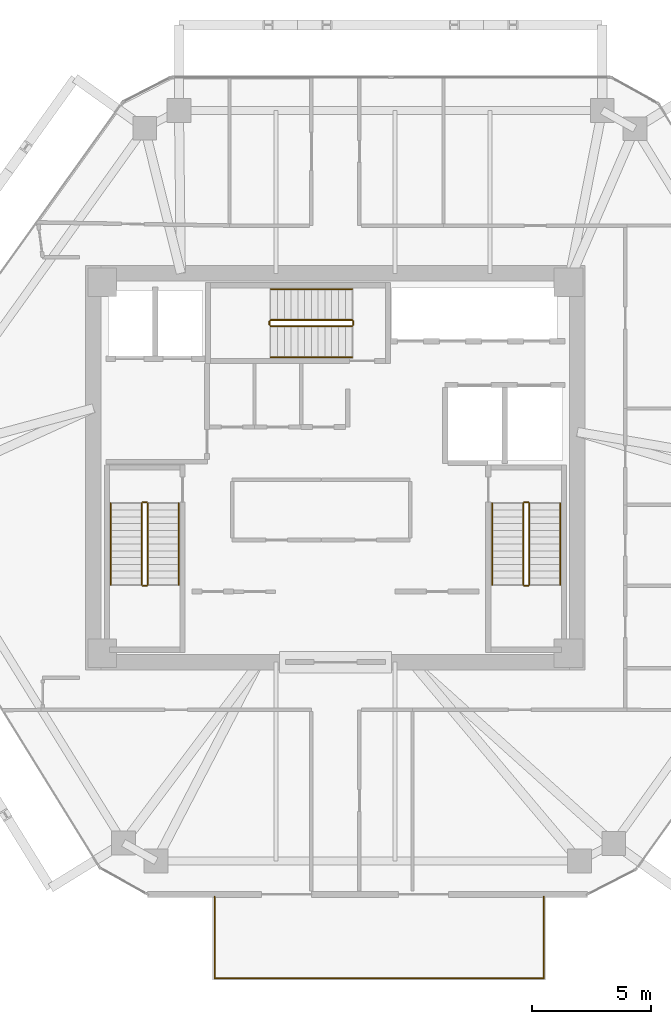
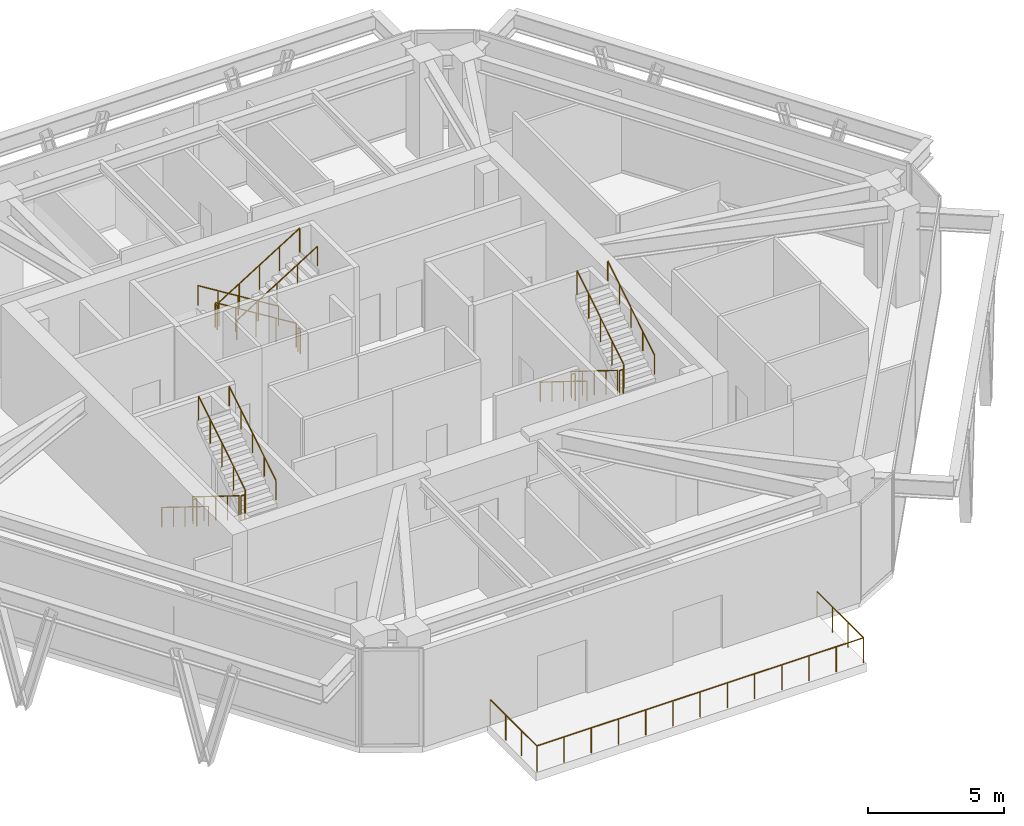
# One storey, part 11 of 12: 21 railings.
"""IFC4 building model written with IfcOpenShell, lengths in metres."""

from ifc_helpers import new_model, si_unit, direction, frame, origin, origin_2d, place, context, subcontext, project, spatial, circle, extrude, material, type_object, element, save


model = new_model("IFC4")

# Units and contexts
model_context = context("Model", 3, precision=1e-05, world=origin(), true_north=direction((0.0, 1.0)))
body_context = subcontext(model_context, "Body", "Model", "MODEL_VIEW")
ifc_project = project(units=[si_unit("LENGTHUNIT", "METRE"), si_unit("AREAUNIT", "SQUARE_METRE"), si_unit("VOLUMEUNIT", "CUBIC_METRE"), si_unit("PLANEANGLEUNIT", "RADIAN"), si_unit("MASSUNIT", "GRAM", prefix="KILO")], contexts=[model_context])

# Site, building, storey
site_placement = place(None, origin())
site = spatial("IfcSite", under=ifc_project, at=site_placement, CompositionType="ELEMENT")
building_placement = place(site_placement, origin())
building = spatial("IfcBuilding", under=site, at=building_placement, Name="Durnholm Broadcast Tower", CompositionType="ELEMENT")
storey_placement = place(building_placement, frame((0.0, 0.0, 162.60009765625)))
storey = spatial("IfcBuildingStorey", under=building, at=storey_placement, Name="L44", CompositionType="ELEMENT", Elevation=162.60009765625)

# Railings
ifc_material_1 = material(Name="Laminated Structural Glass Pool Balustrade", Category="glass")
railing_type_1 = type_object("IfcRailingType", Name="RAIL-POOL-1150", PredefinedType="BALUSTRADE", material=ifc_material_1)
railing_1_placement = place(storey_placement, frame((-5.0810546875, -18.0419921875, 0.0)))
element("IfcRailing", 1, at=railing_1_placement, inside=storey, type_object=railing_type_1, Name="L44 cantilevered sky-pool perimeter balustrade W", PredefinedType="BALUSTRADE", context=body_context, shape_type="SweptSolid", body=[
    extrude(circle(Radius=0.02392578125, at=origin_2d()), frame((0.0, 0.0, 1.1259765625), z_axis=(0.0, -1.0, 0.0), x_axis=(1.0, 0.0, 0.0)), (0.0, 0.0, 1.0), 3.419921875),
    extrude(circle(Radius=0.02099609375, at=origin_2d()), origin(), (0.0, 0.0, 1.0), 1.101806640625),
    extrude(circle(Radius=0.02099609375, at=origin_2d()), frame((0.0, -1.139892578125, 0.0)), (0.0, 0.0, 1.0), 1.101806640625),
    extrude(circle(Radius=0.02099609375, at=origin_2d()), frame((0.0, -2.280029296875, 0.0)), (0.0, 0.0, 1.0), 1.101806640625),
    extrude(circle(Radius=0.02099609375, at=origin_2d()), frame((0.0, -3.419921875, 0.0)), (0.0, 0.0, 1.0), 1.101806640625),
])
railing_2_placement = place(storey_placement, frame((-5.0810546875, -21.4619140625, 0.0)))
element("IfcRailing", 2, at=railing_2_placement, inside=storey, type_object=railing_type_1, Name="L44 cantilevered sky-pool perimeter balustrade S", PredefinedType="BALUSTRADE", context=body_context, shape_type="SweptSolid", body=[
    extrude(circle(Radius=0.02392578125, at=origin_2d()), frame((0.0, 0.0, 1.1259765625), z_axis=(1.0, 0.0, 0.0), x_axis=(0.0, 1.0, 0.0)), (0.0, 0.0, 1.0), 13.840087890625),
    extrude(circle(Radius=0.02099609375, at=origin_2d()), origin(), (0.0, 0.0, 1.0), 1.101806640625),
    extrude(circle(Radius=0.02099609375, at=origin_2d()), frame((1.1533203125, 0.0, 0.0)), (0.0, 0.0, 1.0), 1.101806640625),
    extrude(circle(Radius=0.02099609375, at=origin_2d()), frame((2.306640625, 0.0, 0.0)), (0.0, 0.0, 1.0), 1.101806640625),
    extrude(circle(Radius=0.02099609375, at=origin_2d()), frame((3.4599609375, 0.0, 0.0)), (0.0, 0.0, 1.0), 1.101806640625),
    extrude(circle(Radius=0.02099609375, at=origin_2d()), frame((4.61328125, 0.0, 0.0)), (0.0, 0.0, 1.0), 1.101806640625),
    extrude(circle(Radius=0.02099609375, at=origin_2d()), frame((5.7666015625, 0.0, 0.0)), (0.0, 0.0, 1.0), 1.101806640625),
    extrude(circle(Radius=0.02099609375, at=origin_2d()), frame((6.919921875, 0.0, 0.0)), (0.0, 0.0, 1.0), 1.101806640625),
    extrude(circle(Radius=0.02099609375, at=origin_2d()), frame((8.073486328125, 0.0, 0.0)), (0.0, 0.0, 1.0), 1.101806640625),
    extrude(circle(Radius=0.02099609375, at=origin_2d()), frame((9.226806640625, 0.0, 0.0)), (0.0, 0.0, 1.0), 1.101806640625),
    extrude(circle(Radius=0.02099609375, at=origin_2d()), frame((10.380126953125, 0.0, 0.0)), (0.0, 0.0, 1.0), 1.101806640625),
    extrude(circle(Radius=0.02099609375, at=origin_2d()), frame((11.533447265625, 0.0, 0.0)), (0.0, 0.0, 1.0), 1.101806640625),
    extrude(circle(Radius=0.02099609375, at=origin_2d()), frame((12.686767578125, 0.0, 0.0)), (0.0, 0.0, 1.0), 1.101806640625),
    extrude(circle(Radius=0.02099609375, at=origin_2d()), frame((13.840087890625, 0.0, 0.0)), (0.0, 0.0, 1.0), 1.101806640625),
])
railing_3_placement = place(storey_placement, frame((8.759033203125, -21.4619140625, 0.0)))
element("IfcRailing", 3, at=railing_3_placement, inside=storey, type_object=railing_type_1, Name="L44 cantilevered sky-pool perimeter balustrade E", PredefinedType="BALUSTRADE", context=body_context, shape_type="SweptSolid", body=[
    extrude(circle(Radius=0.02392578125, at=origin_2d()), frame((0.0, 0.0, 1.1259765625), z_axis=(0.0, 1.0, 0.0), x_axis=(-1.0, 0.0, 0.0)), (0.0, 0.0, 1.0), 3.419921875),
    extrude(circle(Radius=0.02099609375, at=origin_2d()), origin(), (0.0, 0.0, 1.0), 1.101806640625),
    extrude(circle(Radius=0.02099609375, at=origin_2d()), frame((0.0, 1.139892578125, 0.0)), (0.0, 0.0, 1.0), 1.101806640625),
    extrude(circle(Radius=0.02099609375, at=origin_2d()), frame((0.0, 2.280029296875, 0.0)), (0.0, 0.0, 1.0), 1.101806640625),
    extrude(circle(Radius=0.02099609375, at=origin_2d()), frame((0.0, 3.419921875, 0.0)), (0.0, 0.0, 1.0), 1.101806640625),
])
ifc_material_2 = material(Name="Painted Tubular Steel Stair Guardrail", Category="steel")
railing_type_2 = type_object("IfcRailingType", Name="RAIL-ST-GRD", PredefinedType="GUARDRAIL", material=ifc_material_2)
railing_4_placement = place(storey_placement, frame((-8.14990234375, -1.5, 0.1767578125)))
element("IfcRailing", 4, at=railing_4_placement, inside=storey, type_object=railing_type_2, Name="L44 ST-1 stair guard 1", PredefinedType="GUARDRAIL", context=body_context, shape_type="SweptSolid", body=[
    extrude(circle(Radius=0.02392578125, at=origin_2d()), frame((0.0, 0.0, 1.076171875), z_axis=(0.0, -0.849602680019, 0.527423251388), x_axis=(1.0, 0.0, 0.0)), (0.0, 0.0, 1.0), 4.025390625),
    extrude(circle(Radius=0.02099609375, at=origin_2d()), origin(), (0.0, 0.0, 1.0), 1.052001953125),
    extrude(circle(Radius=0.02099609375, at=origin_2d()), frame((0.0, -0.85498046875, 0.53076171875)), (0.0, 0.0, 1.0), 1.052001953125),
    extrude(circle(Radius=0.02099609375, at=origin_2d()), frame((0.0, -1.7099609375, 1.0615234375)), (0.0, 0.0, 1.0), 1.052001953125),
    extrude(circle(Radius=0.02099609375, at=origin_2d()), frame((0.0, -2.56494140625, 1.59228515625)), (0.0, 0.0, 1.0), 1.052001953125),
    extrude(circle(Radius=0.02099609375, at=origin_2d()), frame((0.0, -3.419921875, 2.123046875)), (0.0, 0.0, 1.0), 1.052001953125),
])
railing_5_placement = place(storey_placement, frame((-8.10009765625, -4.969970703125, 2.2998046875)))
element("IfcRailing", 5, at=railing_5_placement, inside=storey, type_object=railing_type_2, Name="L44 ST-1 stair guard 2", PredefinedType="GUARDRAIL", context=body_context, shape_type="SweptSolid", body=[
    extrude(circle(Radius=0.02392578125, at=origin_2d()), frame((0.0, 0.0, 1.076171875), z_axis=(1.0, 0.0, 0.0), x_axis=(0.0, 1.0, 0.0)), (0.0, 0.0, 1.0), 0.16015625),
    extrude(circle(Radius=0.02099609375, at=origin_2d()), origin(), (0.0, 0.0, 1.0), 1.052001953125),
    extrude(circle(Radius=0.02099609375, at=origin_2d()), frame((0.16015625, 0.0, 0.0)), (0.0, 0.0, 1.0), 1.052001953125),
])
railing_6_placement = place(storey_placement, frame((-7.889892578125, -4.919921875, 2.476806640625)))
element("IfcRailing", 6, at=railing_6_placement, inside=storey, type_object=railing_type_2, Name="L44 ST-1 stair guard 3", PredefinedType="GUARDRAIL", context=body_context, shape_type="SweptSolid", body=[
    extrude(circle(Radius=0.02392578125, at=origin_2d()), frame((0.0, 0.0, 1.076171875), z_axis=(0.0, 0.849602680019, 0.527423251388), x_axis=(-1.0, 0.0, 0.0)), (0.0, 0.0, 1.0), 4.025390625),
    extrude(circle(Radius=0.02099609375, at=origin_2d()), origin(), (0.0, 0.0, 1.0), 1.052001953125),
    extrude(circle(Radius=0.02099609375, at=origin_2d()), frame((0.0, 0.85498046875, 0.53076171875)), (0.0, 0.0, 1.0), 1.052001953125),
    extrude(circle(Radius=0.02099609375, at=origin_2d()), frame((0.0, 1.7099609375, 1.0615234375)), (0.0, 0.0, 1.0), 1.052001953125),
    extrude(circle(Radius=0.02099609375, at=origin_2d()), frame((0.0, 2.56494140625, 1.59228515625)), (0.0, 0.0, 1.0), 1.052001953125),
    extrude(circle(Radius=0.02099609375, at=origin_2d()), frame((0.0, 3.419921875, 2.123046875)), (0.0, 0.0, 1.0), 1.052001953125),
])
railing_7_placement = place(storey_placement, frame((-8.10009765625, -1.449951171875, 0.0)))
element("IfcRailing", 7, at=railing_7_placement, inside=storey, type_object=railing_type_2, Name="L44 ST-1 stair guard 4", PredefinedType="GUARDRAIL", context=body_context, shape_type="SweptSolid", body=[
    extrude(circle(Radius=0.02392578125, at=origin_2d()), frame((0.0, 0.0, 1.076171875), z_axis=(1.0, 0.0, 0.0), x_axis=(0.0, 1.0, 0.0)), (0.0, 0.0, 1.0), 0.16015625),
    extrude(circle(Radius=0.02099609375, at=origin_2d()), origin(), (0.0, 0.0, 1.0), 1.052001953125),
    extrude(circle(Radius=0.02099609375, at=origin_2d()), frame((0.16015625, 0.0, 0.0)), (0.0, 0.0, 1.0), 1.052001953125),
])
railing_8_placement = place(storey_placement, frame((7.889892578125, -1.5, 0.1767578125)))
element("IfcRailing", 8, at=railing_8_placement, inside=storey, type_object=railing_type_2, Name="L44 ST-2 stair guard 1", PredefinedType="GUARDRAIL", context=body_context, shape_type="SweptSolid", body=[
    extrude(circle(Radius=0.02392578125, at=origin_2d()), frame((0.0, 0.0, 1.076171875), z_axis=(0.0, -0.849602680019, 0.527423251388), x_axis=(1.0, 0.0, 0.0)), (0.0, 0.0, 1.0), 4.025390625),
    extrude(circle(Radius=0.02099609375, at=origin_2d()), origin(), (0.0, 0.0, 1.0), 1.052001953125),
    extrude(circle(Radius=0.02099609375, at=origin_2d()), frame((0.0, -0.85498046875, 0.53076171875)), (0.0, 0.0, 1.0), 1.052001953125),
    extrude(circle(Radius=0.02099609375, at=origin_2d()), frame((0.0, -1.7099609375, 1.0615234375)), (0.0, 0.0, 1.0), 1.052001953125),
    extrude(circle(Radius=0.02099609375, at=origin_2d()), frame((0.0, -2.56494140625, 1.59228515625)), (0.0, 0.0, 1.0), 1.052001953125),
    extrude(circle(Radius=0.02099609375, at=origin_2d()), frame((0.0, -3.419921875, 2.123046875)), (0.0, 0.0, 1.0), 1.052001953125),
])
railing_9_placement = place(storey_placement, frame((7.93994140625, -4.969970703125, 2.2998046875)))
element("IfcRailing", 9, at=railing_9_placement, inside=storey, type_object=railing_type_2, Name="L44 ST-2 stair guard 2", PredefinedType="GUARDRAIL", context=body_context, shape_type="SweptSolid", body=[
    extrude(circle(Radius=0.02392578125, at=origin_2d()), frame((0.0, 0.0, 1.076171875), z_axis=(1.0, 0.0, 0.0), x_axis=(0.0, 1.0, 0.0)), (0.0, 0.0, 1.0), 0.16015625),
    extrude(circle(Radius=0.02099609375, at=origin_2d()), origin(), (0.0, 0.0, 1.0), 1.052001953125),
    extrude(circle(Radius=0.02099609375, at=origin_2d()), frame((0.16015625, 0.0, 0.0)), (0.0, 0.0, 1.0), 1.052001953125),
])
railing_10_placement = place(storey_placement, frame((8.14990234375, -4.919921875, 2.476806640625)))
element("IfcRailing", 10, at=railing_10_placement, inside=storey, type_object=railing_type_2, Name="L44 ST-2 stair guard 3", PredefinedType="GUARDRAIL", context=body_context, shape_type="SweptSolid", body=[
    extrude(circle(Radius=0.02392578125, at=origin_2d()), frame((0.0, 0.0, 1.076171875), z_axis=(0.0, 0.849602680019, 0.527423251388), x_axis=(-1.0, 0.0, 0.0)), (0.0, 0.0, 1.0), 4.025390625),
    extrude(circle(Radius=0.02099609375, at=origin_2d()), origin(), (0.0, 0.0, 1.0), 1.052001953125),
    extrude(circle(Radius=0.02099609375, at=origin_2d()), frame((0.0, 0.85498046875, 0.53076171875)), (0.0, 0.0, 1.0), 1.052001953125),
    extrude(circle(Radius=0.02099609375, at=origin_2d()), frame((0.0, 1.7099609375, 1.0615234375)), (0.0, 0.0, 1.0), 1.052001953125),
    extrude(circle(Radius=0.02099609375, at=origin_2d()), frame((0.0, 2.56494140625, 1.59228515625)), (0.0, 0.0, 1.0), 1.052001953125),
    extrude(circle(Radius=0.02099609375, at=origin_2d()), frame((0.0, 3.419921875, 2.123046875)), (0.0, 0.0, 1.0), 1.052001953125),
])
railing_11_placement = place(storey_placement, frame((7.93994140625, -1.449951171875, 0.0)))
element("IfcRailing", 11, at=railing_11_placement, inside=storey, type_object=railing_type_2, Name="L44 ST-2 stair guard 4", PredefinedType="GUARDRAIL", context=body_context, shape_type="SweptSolid", body=[
    extrude(circle(Radius=0.02392578125, at=origin_2d()), frame((0.0, 0.0, 1.076171875), z_axis=(1.0, 0.0, 0.0), x_axis=(0.0, 1.0, 0.0)), (0.0, 0.0, 1.0), 0.16015625),
    extrude(circle(Radius=0.02099609375, at=origin_2d()), origin(), (0.0, 0.0, 1.0), 1.052001953125),
    extrude(circle(Radius=0.02099609375, at=origin_2d()), frame((0.16015625, 0.0, 0.0)), (0.0, 0.0, 1.0), 1.052001953125),
])
railing_12_placement = place(storey_placement, frame((0.699951171875, 6.2099609375, 0.1767578125)))
element("IfcRailing", 12, at=railing_12_placement, inside=storey, type_object=railing_type_2, Name="L44 ST-3 stair guard 1", PredefinedType="GUARDRAIL", context=body_context, shape_type="SweptSolid", body=[
    extrude(circle(Radius=0.02392578125, at=origin_2d()), frame((0.0, 0.0, 1.076171875), z_axis=(-0.849602680019, 0.0, 0.527423251388), x_axis=(0.0, -1.0, 0.0)), (0.0, 0.0, 1.0), 4.025390625),
    extrude(circle(Radius=0.02099609375, at=origin_2d()), origin(), (0.0, 0.0, 1.0), 1.052001953125),
    extrude(circle(Radius=0.02099609375, at=origin_2d()), frame((-0.85498046875, 0.0, 0.53076171875)), (0.0, 0.0, 1.0), 1.052001953125),
    extrude(circle(Radius=0.02099609375, at=origin_2d()), frame((-1.7099609375, 0.0, 1.0615234375)), (0.0, 0.0, 1.0), 1.052001953125),
    extrude(circle(Radius=0.02099609375, at=origin_2d()), frame((-2.56494140625, 0.0, 1.59228515625)), (0.0, 0.0, 1.0), 1.052001953125),
    extrude(circle(Radius=0.02099609375, at=origin_2d()), frame((-3.419921875, 0.0, 2.123046875)), (0.0, 0.0, 1.0), 1.052001953125),
])
railing_13_placement = place(storey_placement, frame((-2.77001953125, 6.159912109375, 2.2998046875)))
element("IfcRailing", 13, at=railing_13_placement, inside=storey, type_object=railing_type_2, Name="L44 ST-3 stair guard 2", PredefinedType="GUARDRAIL", context=body_context, shape_type="SweptSolid", body=[
    extrude(circle(Radius=0.02392578125, at=origin_2d()), frame((0.0, 0.0, 1.076171875), z_axis=(0.0, -1.0, 0.0), x_axis=(1.0, 0.0, 0.0)), (0.0, 0.0, 1.0), 0.159912109375),
    extrude(circle(Radius=0.02099609375, at=origin_2d()), origin(), (0.0, 0.0, 1.0), 1.052001953125),
    extrude(circle(Radius=0.02099609375, at=origin_2d()), frame((0.0, -0.159912109375, 0.0)), (0.0, 0.0, 1.0), 1.052001953125),
])
railing_14_placement = place(storey_placement, frame((-2.719970703125, 5.949951171875, 2.476806640625)))
element("IfcRailing", 14, at=railing_14_placement, inside=storey, type_object=railing_type_2, Name="L44 ST-3 stair guard 3", PredefinedType="GUARDRAIL", context=body_context, shape_type="SweptSolid", body=[
    extrude(circle(Radius=0.02392578125, at=origin_2d()), frame((0.0, 0.0, 1.076171875), z_axis=(0.849602680019, 0.0, 0.527423251388), x_axis=(0.0, 1.0, 0.0)), (0.0, 0.0, 1.0), 4.025390625),
    extrude(circle(Radius=0.02099609375, at=origin_2d()), origin(), (0.0, 0.0, 1.0), 1.052001953125),
    extrude(circle(Radius=0.02099609375, at=origin_2d()), frame((0.85498046875, 0.0, 0.53076171875)), (0.0, 0.0, 1.0), 1.052001953125),
    extrude(circle(Radius=0.02099609375, at=origin_2d()), frame((1.7099609375, 0.0, 1.0615234375)), (0.0, 0.0, 1.0), 1.052001953125),
    extrude(circle(Radius=0.02099609375, at=origin_2d()), frame((2.56494140625, 0.0, 1.59228515625)), (0.0, 0.0, 1.0), 1.052001953125),
    extrude(circle(Radius=0.02099609375, at=origin_2d()), frame((3.419921875, 0.0, 2.123046875)), (0.0, 0.0, 1.0), 1.052001953125),
])
railing_15_placement = place(storey_placement, frame((0.75, 6.159912109375, 0.0)))
element("IfcRailing", 15, at=railing_15_placement, inside=storey, type_object=railing_type_2, Name="L44 ST-3 stair guard 4", PredefinedType="GUARDRAIL", context=body_context, shape_type="SweptSolid", body=[
    extrude(circle(Radius=0.02392578125, at=origin_2d()), frame((0.0, 0.0, 1.076171875), z_axis=(0.0, -1.0, 0.0), x_axis=(1.0, 0.0, 0.0)), (0.0, 0.0, 1.0), 0.159912109375),
    extrude(circle(Radius=0.02099609375, at=origin_2d()), origin(), (0.0, 0.0, 1.0), 1.052001953125),
    extrude(circle(Radius=0.02099609375, at=origin_2d()), frame((0.0, -0.159912109375, 0.0)), (0.0, 0.0, 1.0), 1.052001953125),
])
ifc_material_3 = material(Name="Brushed Stainless Steel Handrail", Category="steel")
railing_type_3 = type_object("IfcRailingType", Name="RAIL-ST-HND", PredefinedType="HANDRAIL", material=ifc_material_3)
railing_16_placement = place(storey_placement, frame((-9.449951171875, -1.5, 0.353759765625)))
element("IfcRailing", 16, at=railing_16_placement, inside=storey, type_object=railing_type_3, Name="L44 ST-1 stair handrail 1", PredefinedType="HANDRAIL", context=body_context, shape_type="SweptSolid", body=[
    extrude(circle(Radius=0.02392578125, at=origin_2d()), frame((0.0, 0.0, 0.8759765625), z_axis=(0.0, -0.849602680019, 0.527423251388), x_axis=(1.0, 0.0, 0.0)), (0.0, 0.0, 1.0), 4.025390625),
    extrude(circle(Radius=0.02099609375, at=origin_2d()), origin(), (0.0, 0.0, 1.0), 0.851806640625),
    extrude(circle(Radius=0.02099609375, at=origin_2d()), frame((0.0, -0.85498046875, 0.53076171875)), (0.0, 0.0, 1.0), 0.851806640625),
    extrude(circle(Radius=0.02099609375, at=origin_2d()), frame((0.0, -1.7099609375, 1.0615234375)), (0.0, 0.0, 1.0), 0.851806640625),
    extrude(circle(Radius=0.02099609375, at=origin_2d()), frame((0.0, -2.56494140625, 1.59228515625)), (0.0, 0.0, 1.0), 0.851806640625),
    extrude(circle(Radius=0.02099609375, at=origin_2d()), frame((0.0, -3.419921875, 2.123046875)), (0.0, 0.0, 1.0), 0.851806640625),
])
railing_17_placement = place(storey_placement, frame((-6.590087890625, -4.919921875, 2.65380859375)))
element("IfcRailing", 17, at=railing_17_placement, inside=storey, type_object=railing_type_3, Name="L44 ST-1 stair handrail 2", PredefinedType="HANDRAIL", context=body_context, shape_type="SweptSolid", body=[
    extrude(circle(Radius=0.02392578125, at=origin_2d()), frame((0.0, 0.0, 0.8759765625), z_axis=(0.0, 0.849602680019, 0.527423251388), x_axis=(-1.0, 0.0, 0.0)), (0.0, 0.0, 1.0), 4.025390625),
    extrude(circle(Radius=0.02099609375, at=origin_2d()), origin(), (0.0, 0.0, 1.0), 0.851806640625),
    extrude(circle(Radius=0.02099609375, at=origin_2d()), frame((0.0, 0.85498046875, 0.53076171875)), (0.0, 0.0, 1.0), 0.851806640625),
    extrude(circle(Radius=0.02099609375, at=origin_2d()), frame((0.0, 1.7099609375, 1.0615234375)), (0.0, 0.0, 1.0), 0.851806640625),
    extrude(circle(Radius=0.02099609375, at=origin_2d()), frame((0.0, 2.56494140625, 1.59228515625)), (0.0, 0.0, 1.0), 0.851806640625),
    extrude(circle(Radius=0.02099609375, at=origin_2d()), frame((0.0, 3.419921875, 2.123046875)), (0.0, 0.0, 1.0), 0.851806640625),
])
railing_18_placement = place(storey_placement, frame((6.590087890625, -1.5, 0.353759765625)))
element("IfcRailing", 18, at=railing_18_placement, inside=storey, type_object=railing_type_3, Name="L44 ST-2 stair handrail 1", PredefinedType="HANDRAIL", context=body_context, shape_type="SweptSolid", body=[
    extrude(circle(Radius=0.02392578125, at=origin_2d()), frame((0.0, 0.0, 0.8759765625), z_axis=(0.0, -0.849602680019, 0.527423251388), x_axis=(1.0, 0.0, 0.0)), (0.0, 0.0, 1.0), 4.025390625),
    extrude(circle(Radius=0.02099609375, at=origin_2d()), origin(), (0.0, 0.0, 1.0), 0.851806640625),
    extrude(circle(Radius=0.02099609375, at=origin_2d()), frame((0.0, -0.85498046875, 0.53076171875)), (0.0, 0.0, 1.0), 0.851806640625),
    extrude(circle(Radius=0.02099609375, at=origin_2d()), frame((0.0, -1.7099609375, 1.0615234375)), (0.0, 0.0, 1.0), 0.851806640625),
    extrude(circle(Radius=0.02099609375, at=origin_2d()), frame((0.0, -2.56494140625, 1.59228515625)), (0.0, 0.0, 1.0), 0.851806640625),
    extrude(circle(Radius=0.02099609375, at=origin_2d()), frame((0.0, -3.419921875, 2.123046875)), (0.0, 0.0, 1.0), 0.851806640625),
])
railing_19_placement = place(storey_placement, frame((9.449951171875, -4.919921875, 2.65380859375)))
element("IfcRailing", 19, at=railing_19_placement, inside=storey, type_object=railing_type_3, Name="L44 ST-2 stair handrail 2", PredefinedType="HANDRAIL", context=body_context, shape_type="SweptSolid", body=[
    extrude(circle(Radius=0.02392578125, at=origin_2d()), frame((0.0, 0.0, 0.8759765625), z_axis=(0.0, 0.849602680019, 0.527423251388), x_axis=(-1.0, 0.0, 0.0)), (0.0, 0.0, 1.0), 4.025390625),
    extrude(circle(Radius=0.02099609375, at=origin_2d()), origin(), (0.0, 0.0, 1.0), 0.851806640625),
    extrude(circle(Radius=0.02099609375, at=origin_2d()), frame((0.0, 0.85498046875, 0.53076171875)), (0.0, 0.0, 1.0), 0.851806640625),
    extrude(circle(Radius=0.02099609375, at=origin_2d()), frame((0.0, 1.7099609375, 1.0615234375)), (0.0, 0.0, 1.0), 0.851806640625),
    extrude(circle(Radius=0.02099609375, at=origin_2d()), frame((0.0, 2.56494140625, 1.59228515625)), (0.0, 0.0, 1.0), 0.851806640625),
    extrude(circle(Radius=0.02099609375, at=origin_2d()), frame((0.0, 3.419921875, 2.123046875)), (0.0, 0.0, 1.0), 0.851806640625),
])
railing_20_placement = place(storey_placement, frame((0.699951171875, 7.510009765625, 0.353759765625)))
element("IfcRailing", 20, at=railing_20_placement, inside=storey, type_object=railing_type_3, Name="L44 ST-3 stair handrail 1", PredefinedType="HANDRAIL", context=body_context, shape_type="SweptSolid", body=[
    extrude(circle(Radius=0.02392578125, at=origin_2d()), frame((0.0, 0.0, 0.8759765625), z_axis=(-0.849602680019, 0.0, 0.527423251388), x_axis=(0.0, -1.0, 0.0)), (0.0, 0.0, 1.0), 4.025390625),
    extrude(circle(Radius=0.02099609375, at=origin_2d()), origin(), (0.0, 0.0, 1.0), 0.851806640625),
    extrude(circle(Radius=0.02099609375, at=origin_2d()), frame((-0.85498046875, 0.0, 0.53076171875)), (0.0, 0.0, 1.0), 0.851806640625),
    extrude(circle(Radius=0.02099609375, at=origin_2d()), frame((-1.7099609375, 0.0, 1.0615234375)), (0.0, 0.0, 1.0), 0.851806640625),
    extrude(circle(Radius=0.02099609375, at=origin_2d()), frame((-2.56494140625, 0.0, 1.59228515625)), (0.0, 0.0, 1.0), 0.851806640625),
    extrude(circle(Radius=0.02099609375, at=origin_2d()), frame((-3.419921875, 0.0, 2.123046875)), (0.0, 0.0, 1.0), 0.851806640625),
])
railing_21_placement = place(storey_placement, frame((-2.719970703125, 4.64990234375, 2.65380859375)))
element("IfcRailing", 21, at=railing_21_placement, inside=storey, type_object=railing_type_3, Name="L44 ST-3 stair handrail 2", PredefinedType="HANDRAIL", context=body_context, shape_type="SweptSolid", body=[
    extrude(circle(Radius=0.02392578125, at=origin_2d()), frame((0.0, 0.0, 0.8759765625), z_axis=(0.849602680019, 0.0, 0.527423251388), x_axis=(0.0, 1.0, 0.0)), (0.0, 0.0, 1.0), 4.025390625),
    extrude(circle(Radius=0.02099609375, at=origin_2d()), origin(), (0.0, 0.0, 1.0), 0.851806640625),
    extrude(circle(Radius=0.02099609375, at=origin_2d()), frame((0.85498046875, 0.0, 0.53076171875)), (0.0, 0.0, 1.0), 0.851806640625),
    extrude(circle(Radius=0.02099609375, at=origin_2d()), frame((1.7099609375, 0.0, 1.0615234375)), (0.0, 0.0, 1.0), 0.851806640625),
    extrude(circle(Radius=0.02099609375, at=origin_2d()), frame((2.56494140625, 0.0, 1.59228515625)), (0.0, 0.0, 1.0), 0.851806640625),
    extrude(circle(Radius=0.02099609375, at=origin_2d()), frame((3.419921875, 0.0, 2.123046875)), (0.0, 0.0, 1.0), 0.851806640625),
])

save(model, "model.ifc")
